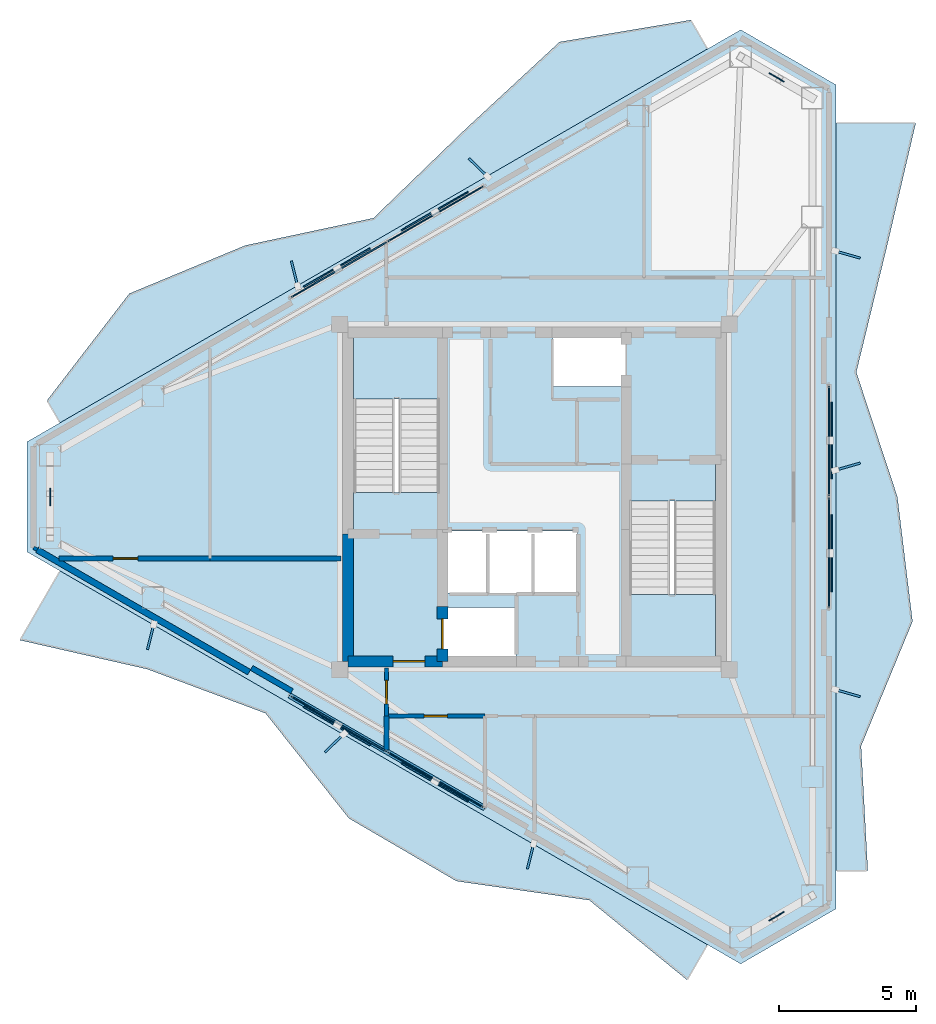
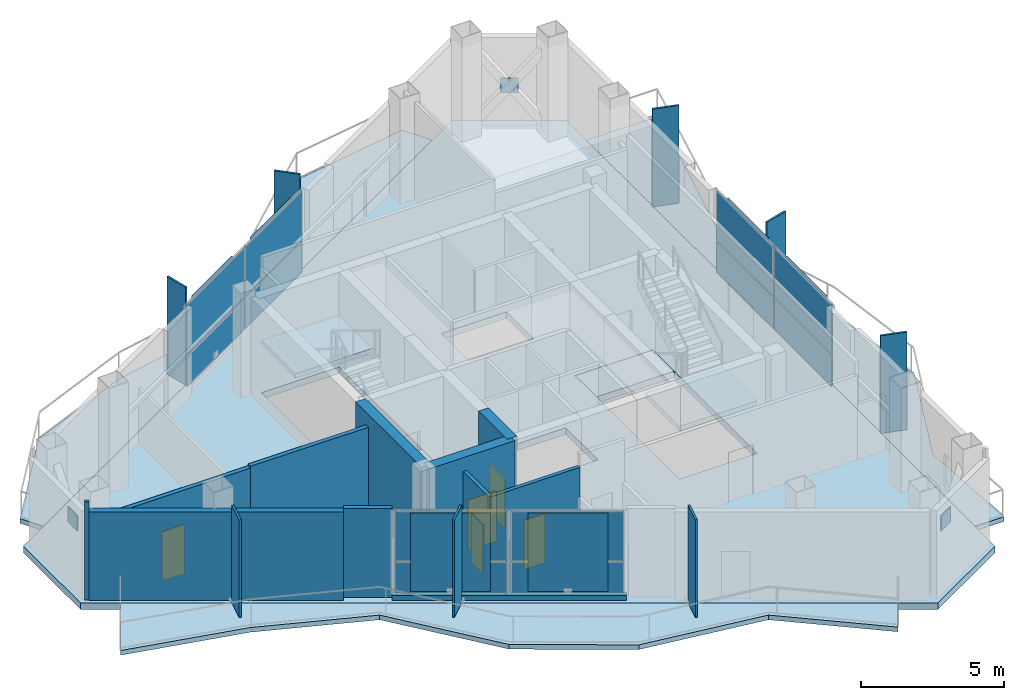
# One storey, part 9 of 14: 29 plates, 12 walls, 8 slabs, 5 doors, 5 openings, 5 elements without a shape of their own.
"""IFC4 building model written with IfcOpenShell, lengths in metres."""

from ifc_helpers import new_model, si_unit, direction, frame, frame_2d, origin, origin_2d, place, context, subcontext, project, spatial, polyline, rectangle, outline, extrude, material, layer, layer_set, type_object, element, fill, aggregate, save


model = new_model("IFC4")

# Units and contexts
model_context = context("Model", 3, precision=1e-05, world=origin(), true_north=direction((0.0, 1.0)))
body_context = subcontext(model_context, "Body", "Model", "MODEL_VIEW")
ifc_project = project(units=[si_unit("LENGTHUNIT", "METRE"), si_unit("AREAUNIT", "SQUARE_METRE"), si_unit("VOLUMEUNIT", "CUBIC_METRE"), si_unit("PLANEANGLEUNIT", "RADIAN"), si_unit("MASSUNIT", "GRAM", prefix="KILO")], contexts=[model_context])

# Site, building, storey
site_placement = place(None, origin())
site = spatial("IfcSite", under=ifc_project, at=site_placement, CompositionType="ELEMENT")
building_placement = place(site_placement, origin())
building = spatial("IfcBuilding", under=site, at=building_placement, Name="Mersakhor Tower and Convention Hall", CompositionType="ELEMENT")
storey_placement = place(building_placement, frame((0.0, 0.0, 254.10009765625)))
storey = spatial("IfcBuildingStorey", under=building, at=storey_placement, Name="L71", CompositionType="ELEMENT", Elevation=254.10009765625)

# Curtain wall, plates
ifc_material_1 = material(Name="Dark solar low-E aluminium curtain wall", Category="aluminium")
ifc_layer_1 = layer(ifc_material_1, 0.2099609375)
ifc_layer_set_1 = layer_set([ifc_layer_1], Name="Dark solar low-E aluminium curtain wall")
curtain_wall_type = type_object("IfcCurtainWallType", Name="CW-SYS-06", PredefinedType="USERDEFINED", material=ifc_layer_set_1)
curtain_wall_1_placement = place(storey_placement, origin())
curtain_wall_1 = element("IfcCurtainWall", 1, at=curtain_wall_1_placement, inside=storey, type_object=curtain_wall_type, Name="L71 Dark-Glass Curtain Wall F1-B2", ObjectType="CURTAIN WALL", PredefinedType="USERDEFINED")
ifc_material_2 = material(Name="Dark solar double glazing", Category="glass")
ifc_layer_2 = layer(ifc_material_2, 0.052001953125)
ifc_layer_set_2 = layer_set([ifc_layer_2], Name="Dark solar double glazing")
plate_type_1 = type_object("IfcPlateType", Name="CWP-GLZ-52", PredefinedType="CURTAIN_PANEL", material=ifc_layer_set_2)
plate_1_placement = place(storey_placement, frame((21.864501953125, 35.03515625, 0.259765625), z_axis=(0.0, 0.0, 1.0), x_axis=(0.86602285698, 0.500004411169, 0.0)))
plate_1 = element("IfcPlate", 2, at=plate_1_placement, type_object=plate_type_1, Name="CW-06 panel 1.1", PredefinedType="CURTAIN_PANEL", context=body_context, shape_type="SweptSolid", body=[
    extrude(rectangle(XDim=3.993896484375, YDim=0.052001953125, at=origin_2d()), origin(), (0.0, 0.0, 1.0), 1.330078125),
])
plate_2_placement = place(storey_placement, frame((21.864501953125, 35.03515625, 1.64990234375), z_axis=(0.0, 0.0, 1.0), x_axis=(0.86602285698, 0.500004411169, 0.0)))
plate_2 = element("IfcPlate", 3, at=plate_2_placement, type_object=plate_type_1, Name="CW-06 panel 1.2", PredefinedType="CURTAIN_PANEL", context=body_context, shape_type="SweptSolid", body=[
    extrude(rectangle(XDim=3.993896484375, YDim=0.052001953125, at=origin_2d()), origin(), (0.0, 0.0, 1.0), 2.090087890625),
])
plate_3_placement = place(storey_placement, frame((25.392578125, 37.072021484375, 0.259765625), z_axis=(0.0, 0.0, 1.0), x_axis=(0.86602285698, 0.500004411169, 0.0)))
plate_3 = element("IfcPlate", 4, at=plate_3_placement, type_object=plate_type_1, Name="CW-06 panel 2.1", PredefinedType="CURTAIN_PANEL", context=body_context, shape_type="SweptSolid", body=[
    extrude(rectangle(XDim=3.993896484375, YDim=0.052001953125, at=origin_2d()), origin(), (0.0, 0.0, 1.0), 1.330078125),
])
plate_4_placement = place(storey_placement, frame((25.392578125, 37.072021484375, 1.64990234375), z_axis=(0.0, 0.0, 1.0), x_axis=(0.86602285698, 0.500004411169, 0.0)))
plate_4 = element("IfcPlate", 5, at=plate_4_placement, type_object=plate_type_1, Name="CW-06 panel 2.2", PredefinedType="CURTAIN_PANEL", context=body_context, shape_type="SweptSolid", body=[
    extrude(rectangle(XDim=3.993896484375, YDim=0.052001953125, at=origin_2d()), origin(), (0.0, 0.0, 1.0), 2.090087890625),
])
aggregate(curtain_wall_1, [plate_1, plate_2, plate_3, plate_4])

curtain_wall_2_placement = place(storey_placement, origin())
curtain_wall_2 = element("IfcCurtainWall", 6, at=curtain_wall_2_placement, inside=storey, type_object=curtain_wall_type, Name="L71 Dark-Glass Curtain Wall F2-B2", ObjectType="CURTAIN WALL", PredefinedType="USERDEFINED")
plate_5_placement = place(storey_placement, frame((39.742919921875, 28.786865234375, 0.259765625), z_axis=(0.0, 0.0, 1.0), x_axis=(0.0, -1.0, 0.0)))
plate_5 = element("IfcPlate", 7, at=plate_5_placement, type_object=plate_type_1, Name="CW-06 panel 1.1", PredefinedType="CURTAIN_PANEL", context=body_context, shape_type="SweptSolid", body=[
    extrude(rectangle(XDim=3.993896484375, YDim=0.052001953125, at=origin_2d()), origin(), (0.0, 0.0, 1.0), 1.330078125),
])
plate_6_placement = place(storey_placement, frame((39.742919921875, 28.786865234375, 1.64990234375), z_axis=(0.0, 0.0, 1.0), x_axis=(0.0, -1.0, 0.0)))
plate_6 = element("IfcPlate", 8, at=plate_6_placement, type_object=plate_type_1, Name="CW-06 panel 1.2", PredefinedType="CURTAIN_PANEL", context=body_context, shape_type="SweptSolid", body=[
    extrude(rectangle(XDim=3.993896484375, YDim=0.052001953125, at=origin_2d()), origin(), (0.0, 0.0, 1.0), 2.090087890625),
])
plate_7_placement = place(storey_placement, frame((39.742919921875, 24.713134765625, 0.259765625), z_axis=(0.0, 0.0, 1.0), x_axis=(0.0, -1.0, 0.0)))
plate_7 = element("IfcPlate", 9, at=plate_7_placement, type_object=plate_type_1, Name="CW-06 panel 2.1", PredefinedType="CURTAIN_PANEL", context=body_context, shape_type="SweptSolid", body=[
    extrude(rectangle(XDim=3.993896484375, YDim=0.052001953125, at=origin_2d()), origin(), (0.0, 0.0, 1.0), 1.330078125),
])
plate_8_placement = place(storey_placement, frame((39.742919921875, 24.713134765625, 1.64990234375), z_axis=(0.0, 0.0, 1.0), x_axis=(0.0, -1.0, 0.0)))
plate_8 = element("IfcPlate", 10, at=plate_8_placement, type_object=plate_type_1, Name="CW-06 panel 2.2", PredefinedType="CURTAIN_PANEL", context=body_context, shape_type="SweptSolid", body=[
    extrude(rectangle(XDim=3.993896484375, YDim=0.052001953125, at=origin_2d()), origin(), (0.0, 0.0, 1.0), 2.090087890625),
])
aggregate(curtain_wall_2, [plate_5, plate_6, plate_7, plate_8])

curtain_wall_3_placement = place(storey_placement, origin())
curtain_wall_3 = element("IfcCurtainWall", 11, at=curtain_wall_3_placement, inside=storey, type_object=curtain_wall_type, Name="L71 Dark-Glass Curtain Wall F3-B2", ObjectType="CURTAIN WALL", PredefinedType="USERDEFINED")
plate_9_placement = place(storey_placement, frame((25.392578125, 16.427978515625, 0.259765625), z_axis=(0.0, 0.0, 1.0), x_axis=(-0.86602285698, 0.500004411169, 0.0)))
plate_9 = element("IfcPlate", 12, at=plate_9_placement, type_object=plate_type_1, Name="CW-06 panel 1.1", PredefinedType="CURTAIN_PANEL", context=body_context, shape_type="SweptSolid", body=[
    extrude(rectangle(XDim=3.993896484375, YDim=0.052001953125, at=origin_2d()), origin(), (0.0, 0.0, 1.0), 1.330078125),
])
plate_10_placement = place(storey_placement, frame((25.392578125, 16.427978515625, 1.64990234375), z_axis=(0.0, 0.0, 1.0), x_axis=(-0.86602285698, 0.500004411169, 0.0)))
plate_10 = element("IfcPlate", 13, at=plate_10_placement, type_object=plate_type_1, Name="CW-06 panel 1.2", PredefinedType="CURTAIN_PANEL", context=body_context, shape_type="SweptSolid", body=[
    extrude(rectangle(XDim=3.993896484375, YDim=0.052001953125, at=origin_2d()), origin(), (0.0, 0.0, 1.0), 2.090087890625),
])
plate_11_placement = place(storey_placement, frame((21.864501953125, 18.46484375, 0.259765625), z_axis=(0.0, 0.0, 1.0), x_axis=(-0.86602285698, 0.500004411169, 0.0)))
plate_11 = element("IfcPlate", 14, at=plate_11_placement, type_object=plate_type_1, Name="CW-06 panel 2.1", PredefinedType="CURTAIN_PANEL", context=body_context, shape_type="SweptSolid", body=[
    extrude(rectangle(XDim=3.993896484375, YDim=0.052001953125, at=origin_2d()), origin(), (0.0, 0.0, 1.0), 1.330078125),
])
plate_12_placement = place(storey_placement, frame((21.864501953125, 18.46484375, 1.64990234375), z_axis=(0.0, 0.0, 1.0), x_axis=(-0.86602285698, 0.500004411169, 0.0)))
plate_12 = element("IfcPlate", 15, at=plate_12_placement, type_object=plate_type_1, Name="CW-06 panel 2.2", PredefinedType="CURTAIN_PANEL", context=body_context, shape_type="SweptSolid", body=[
    extrude(rectangle(XDim=3.993896484375, YDim=0.052001953125, at=origin_2d()), origin(), (0.0, 0.0, 1.0), 2.090087890625),
])
aggregate(curtain_wall_3, [plate_9, plate_10, plate_11, plate_12])

# Plates
ifc_material_3 = material(Name="Ceramic-clad aluminium Zone 5 ultramarine", Category="aluminium")
ifc_material_4 = material(Name="Ceramic-clad aluminium Zone 1 cobalt-slate", Category="masonry")
ifc_layer_3 = layer(ifc_material_4, 0.080078125)
ifc_layer_set_3 = layer_set([ifc_layer_3], Name="Ceramic-clad aluminium Zone 1 cobalt-slate")
plate_type_2 = type_object("IfcPlateType", Name="PL-FIN-80", PredefinedType="USERDEFINED", material=ifc_layer_set_3)
for number, where, z_axis, x_axis, name in (
    (16, (20.249755859375, 34.8955078125, 0.0), (0.0, 0.0, 1.0), (-0.2419218956, 0.970295726276, 0.0), "L71 Zone 5 Coloured Brise-Soleil Fin F1-1"),
    (17, (26.951171875, 38.7646484375, 0.0), (0.0, 0.0, 1.0), (-0.719339800339, 0.694658370459, 0.0), "L71 Zone 5 Coloured Brise-Soleil Fin F1-2"),
    (18, (40.429443359375, 35.58837890625, 0.0), (0.0, 0.0, 1.0), (0.961261695938, -0.275637355817, 0.0), "L71 Zone 5 Coloured Brise-Soleil Fin F2-1"),
    (19, (40.429443359375, 27.850341796875, 0.0), (0.0, 0.0, 1.0), (0.961261695938, 0.275637355817, 0.0), "L71 Zone 5 Coloured Brise-Soleil Fin F2-2"),
    (20, (40.429443359375, 19.58837890625, 0.0), (0.0, 0.0, 1.0), (0.961261695938, -0.275637355817, 0.0), "L71 Zone 5 Coloured Brise-Soleil Fin F2-3"),
    (21, (28.85693359375, 13.635009765625, 0.0), (0.0, 0.0, 1.0), (-0.2419218956, -0.970295726276, 0.0), "L71 Zone 5 Coloured Brise-Soleil Fin F3-1"),
    (22, (21.701904296875, 17.765869140625, 0.0), (0.0, 0.0, 1.0), (-0.719339800339, -0.694658370459, 0.0), "L71 Zone 5 Coloured Brise-Soleil Fin F3-2"),
    (23, (15.00048828125, 21.635009765625, 0.0), (0.0, 0.0, 1.0), (-0.2419218956, -0.970295726276, 0.0), "L71 Zone 5 Coloured Brise-Soleil Fin F3-3"),
):
    element("IfcPlate", number, at=place(storey_placement, frame(where, z_axis=z_axis, x_axis=x_axis)), inside=storey, type_object=plate_type_2, material=ifc_material_3, Name=name, ObjectType="FIN", PredefinedType="USERDEFINED", context=body_context, shape_type="SweptSolid", body=[
        extrude(rectangle(XDim=0.949951171875, YDim=0.080078125, at=origin_2d()), origin(), (0.0, 0.0, 1.0), 4.179931640625),
    ])
ifc_material_5 = material(Name="Steel S460", Category="steel")
ifc_layer_4 = layer(ifc_material_5, 0.0400390625)
ifc_layer_set_4 = layer_set([ifc_layer_4], Name="Steel S460")
plate_type_3 = type_object("IfcPlateType", Name="PL-GUSSET-40", PredefinedType="SHEET", material=ifc_layer_set_4)
for number, where, z_axis, x_axis, name in (
    (24, (37.833984375, 42.051025390625, 1.77001953125), (0.0, 0.0, 1.0), (-0.866025403784, 0.5, 0.0), "L71 X-Brace Crossing Gusset Node Plate"),
    (25, (37.833984375, 11.448974609375, 1.77001953125), (0.0, 0.0, 1.0), (0.866025403784, 0.5, 0.0), "L71 X-Brace Crossing Gusset Node Plate"),
    (26, (11.33203125, 26.75, 1.77001953125), (0.0, 0.0, 1.0), (0.0, -1.0, 0.0), "L71 X-Brace Crossing Gusset Node Plate"),
):
    element("IfcPlate", number, at=place(storey_placement, frame(where, z_axis=z_axis, x_axis=x_axis)), inside=storey, type_object=plate_type_3, Name=name, PredefinedType="SHEET", context=body_context, shape_type="SweptSolid", body=[
        extrude(rectangle(XDim=0.639892578125, YDim=0.0400390625, at=origin_2d()), origin(), (0.0, 0.0, 1.0), 0.639892578125),
    ])
ifc_material_6 = material(Name="Perforated ceramic cobogo solar screen", Category="aluminium")
ifc_layer_5 = layer(ifc_material_6, 0.055908203125)
ifc_layer_set_5 = layer_set([ifc_layer_5], Name="Perforated ceramic cobogo solar screen")
plate_type_4 = type_object("IfcPlateType", Name="PL-SCR-56", PredefinedType="USERDEFINED", material=ifc_layer_set_5)
for number, where, z_axis, x_axis, name in (
    (27, (21.79833984375, 35.10986328125, 0.39990234375), (0.0, 0.0, 1.0), (0.866025403784, 0.5, 0.0), "L71 Perforated Ceramic Solar Screen F1-1"),
    (28, (25.361083984375, 37.1669921875, 0.39990234375), (0.0, 0.0, 1.0), (0.866025403784, 0.5, 0.0), "L71 Perforated Ceramic Solar Screen F1-2"),
    (29, (39.8408203125, 28.806884765625, 0.39990234375), (0.0, 0.0, 1.0), (0.0, -1.0, 0.0), "L71 Perforated Ceramic Solar Screen F2-1"),
    (30, (39.8408203125, 24.693115234375, 0.39990234375), (0.0, 0.0, 1.0), (0.0, -1.0, 0.0), "L71 Perforated Ceramic Solar Screen F2-2"),
    (31, (25.36083984375, 16.3330078125, 0.39990234375), (0.0, 0.0, 1.0), (-0.866025403784, 0.5, 0.0), "L71 Perforated Ceramic Solar Screen F3-1"),
    (32, (21.798095703125, 18.389892578125, 0.39990234375), (0.0, 0.0, 1.0), (-0.866025403784, 0.5, 0.0), "L71 Perforated Ceramic Solar Screen F3-2"),
):
    element("IfcPlate", number, at=place(storey_placement, frame(where, z_axis=z_axis, x_axis=x_axis)), inside=storey, type_object=plate_type_4, Name=name, ObjectType="SCREEN", PredefinedType="USERDEFINED", context=body_context, shape_type="SweptSolid", body=[
        extrude(rectangle(XDim=2.800048828125, YDim=0.055908203125, at=origin_2d()), origin(), (0.0, 0.0, 1.0), 3.35009765625),
    ])

# Slabs
ifc_material_7 = material(Name="Concrete C45/55", Category="concrete")
ifc_layer_6 = layer(ifc_material_7, 0.199951171875)
ifc_layer_set_6 = layer_set([ifc_layer_6], Name="Concrete C45/55")
slab_type_1 = type_object("IfcSlabType", Name="SL-BAL-200", PredefinedType="FLOOR", material=ifc_layer_set_6)
slab_1_placement = place(storey_placement, frame((0.0, 0.0, -0.2001953125)))
element("IfcSlab", 33, at=slab_1_placement, inside=storey, type_object=slab_type_1, Name="L71 Sinusoidal Balcony Slab Face 1", PredefinedType="FLOOR", context=body_context, shape_type="SweptSolid", body=[
    extrude(outline(polyline([(11.6943359375, 29.451904296875), (35.312744140625, 43.088134765625), (34.70263671875, 44.14501953125), (29.91650390625, 43.34423828125), (26.496826171875, 40.176025390625), (23.128662109375, 36.919677734375), (18.455810546875, 35.922607421875), (14.221923828125, 34.1650390625), (11.22216796875, 30.27001953125), (11.6943359375, 29.451904296875)])), origin(), (0.0, 0.0, 1.0), 0.2001953125),
])
slab_2_placement = place(storey_placement, frame((0.0, 0.0, -0.2001953125)))
element("IfcSlab", 34, at=slab_2_placement, inside=storey, type_object=slab_type_1, Name="L71 Sinusoidal Balcony Slab Face 2", PredefinedType="FLOOR", context=body_context, shape_type="SweptSolid", body=[
    extrude(outline(polyline([(39.992919921875, 40.385986328125), (39.992919921875, 13.114013671875), (41.162841796875, 13.114013671875), (40.917236328125, 17.6591796875), (42.794921875, 22.20458984375), (42.242431640625, 26.75), (40.742919921875, 31.29541015625), (41.850341796875, 35.8408203125), (42.912841796875, 40.385986328125), (39.992919921875, 40.385986328125)])), origin(), (0.0, 0.0, 1.0), 0.2001953125),
])
slab_3_placement = place(storey_placement, frame((0.0, 0.0, -0.2001953125)))
element("IfcSlab", 35, at=slab_3_placement, inside=storey, type_object=slab_type_1, Name="L71 Sinusoidal Balcony Slab Face 3", PredefinedType="FLOOR", context=body_context, shape_type="SweptSolid", body=[
    extrude(outline(polyline([(35.312744140625, 10.411865234375), (11.6943359375, 24.048095703125), (10.234375, 21.519287109375), (14.87353515625, 20.463623046875), (19.192138671875, 18.85302734375), (22.2294921875, 15.023193359375), (26.15478515625, 12.731201171875), (31.00146484375, 12.03515625), (34.5693359375, 9.124267578125), (35.312744140625, 10.411865234375)])), origin(), (0.0, 0.0, 1.0), 0.2001953125),
])
ifc_material_8 = material(Name="Concrete C45/55", Category="concrete")
ifc_layer_7 = layer(ifc_material_8, 0.280029296875)
ifc_layer_set_7 = layer_set([ifc_layer_7], Name="Concrete C45/55")
slab_type_2 = type_object("IfcSlabType", Name="SL-FLR-280", PredefinedType="FLOOR", material=ifc_layer_set_7)
slab_4_placement = place(storey_placement, frame((0.0, 0.0, -0.280029296875)))
element("IfcSlab", 36, at=slab_4_placement, inside=storey, type_object=slab_type_2, Name="L71 ST-1 Structural Stair Floor Landing", PredefinedType="LANDING", context=body_context, shape_type="SweptSolid", body=[
    extrude(outline(polyline([(25.550048828125, 25.39990234375), (25.550048828125, 26.89990234375), (22.39990234375, 26.89990234375), (22.39990234375, 25.39990234375), (25.550048828125, 25.39990234375)])), origin(), (0.0, 0.0, 1.0), 0.280029296875),
])
slab_5_placement = place(storey_placement, frame((0.0, 0.0, -0.280029296875)))
element("IfcSlab", 37, at=slab_5_placement, inside=storey, type_object=slab_type_2, Name="L71 ST-2 Structural Stair Floor Landing", PredefinedType="LANDING", context=body_context, shape_type="SweptSolid", body=[
    extrude(outline(polyline([(32.449951171875, 28.10009765625), (32.449951171875, 26.60009765625), (35.60009765625, 26.60009765625), (35.60009765625, 28.10009765625), (32.449951171875, 28.10009765625)])), origin(), (0.0, 0.0, 1.0), 0.280029296875),
])
slab_6_placement = place(storey_placement, frame((0.0, 0.0, -0.280029296875)))
element("IfcSlab", 38, at=slab_6_placement, inside=storey, type_object=slab_type_2, Name="Tower L71 Structural Floor Slab", PredefinedType="FLOOR", context=body_context, shape_type="SweptSolid", body=[
    extrude(outline(polyline([(10.48193359375, 28.751953125), (36.525146484375, 43.7880859375), (39.992919921875, 41.7861328125), (39.992919921875, 11.7138671875), (36.525146484375, 9.7119140625), (10.48193359375, 24.748046875), (10.48193359375, 28.751953125)]), holes=[polyline([(25.550048828125, 25.39990234375), (25.550048828125, 32.699951171875), (22.39990234375, 32.699951171875), (22.39990234375, 25.39990234375), (25.550048828125, 25.39990234375)]), polyline([(32.449951171875, 28.10009765625), (32.449951171875, 20.800048828125), (35.60009765625, 20.800048828125), (35.60009765625, 28.10009765625), (32.449951171875, 28.10009765625)]), polyline([(25.679931640625, 20.820068359375), (25.679931640625, 22.719970703125), (28.320068359375, 22.719970703125), (28.320068359375, 20.820068359375), (25.679931640625, 20.820068359375)]), polyline([(29.679931640625, 30.780029296875), (29.679931640625, 32.679931640625), (32.320068359375, 32.679931640625), (32.320068359375, 30.780029296875), (29.679931640625, 30.780029296875)]), polyline([(25.679931640625, 23.25), (25.679931640625, 25.5), (30.570068359375, 25.5), (30.570068359375, 23.25), (25.679931640625, 23.25)])]), origin(), (0.0, 0.0, 1.0), 0.280029296875),
])

# Stair, slab
ifc_material_9 = material(Name="Concrete C45/55", Category="concrete")
stair_type = type_object("IfcStairType", Name="ST-TWR-26R", PredefinedType="HALF_TURN_STAIR", material=ifc_material_9)
stair_1_placement = place(storey_placement, origin())
stair_1 = element("IfcStair", 39, at=stair_1_placement, inside=storey, type_object=stair_type, Name="L71 Tower Protected Exit Stair ST-1", PredefinedType="HALF_TURN_STAIR")
ifc_material_10 = material(Name="Concrete C45/55", Category="concrete")
ifc_layer_8 = layer(ifc_material_10, 0.199951171875)
ifc_layer_set_8 = layer_set([ifc_layer_8], Name="Concrete C45/55")
slab_type_3 = type_object("IfcSlabType", Name="SL-LAND-200", PredefinedType="LANDING", material=ifc_layer_set_8)
slab_7_placement = place(storey_placement, frame((0.0, 0.0, 2.0498046875)))
slab_7 = element("IfcSlab", 40, at=slab_7_placement, type_object=slab_type_3, Name="ST-1 landing 1", PredefinedType="LANDING", context=body_context, shape_type="SweptSolid", body=[
    extrude(outline(polyline([(25.550048828125, 30.320068359375), (25.550048828125, 32.699951171875), (22.39990234375, 32.699951171875), (22.39990234375, 30.320068359375), (25.550048828125, 30.320068359375)])), origin(), (0.0, 0.0, 1.0), 0.2001953125),
])
aggregate(stair_1, [slab_7])

stair_2_placement = place(storey_placement, origin())
stair_2 = element("IfcStair", 41, at=stair_2_placement, inside=storey, type_object=stair_type, Name="L71 Tower Protected Exit Stair ST-2", PredefinedType="HALF_TURN_STAIR")
slab_8_placement = place(storey_placement, frame((0.0, 0.0, 2.0498046875)))
slab_8 = element("IfcSlab", 42, at=slab_8_placement, type_object=slab_type_3, Name="ST-2 landing 1", PredefinedType="LANDING", context=body_context, shape_type="SweptSolid", body=[
    extrude(outline(polyline([(32.449951171875, 23.179931640625), (32.449951171875, 20.800048828125), (35.60009765625, 20.800048828125), (35.60009765625, 23.179931640625), (32.449951171875, 23.179931640625)])), origin(), (0.0, 0.0, 1.0), 0.2001953125),
])
aggregate(stair_2, [slab_8])

# Walls
ifc_material_11 = material(Name="Precast concrete C40/50", Category="concrete")
ifc_layer_9 = layer(ifc_material_11, 0.22509765625)
ifc_layer_set_9 = layer_set([ifc_layer_9], Name="Precast concrete C40/50")
wall_type_1 = type_object("IfcWallType", Name="WL-EXT-225", PredefinedType="SOLIDWALL", material=ifc_layer_set_9)
wall_1_placement = place(storey_placement, frame((18.593505859375, 20.353515625, 0.0), z_axis=(0.0, 0.0, 1.0), x_axis=(-0.866026655105, 0.499997832642, 0.0)))
element("IfcWall", 43, at=wall_1_placement, inside=storey, type_object=wall_type_1, Name="L71 Exterior Facade Wall F3-B3", PredefinedType="SOLIDWALL", context=body_context, shape_type="SweptSolid", body=[
    extrude(rectangle(XDim=8.927734375, YDim=0.22509765625, at=frame_2d((4.4638671875, 0.0))), origin(), (0.0, 0.0, 1.0), 3.7998046875),
])
ifc_material_12 = material(Name="Precast concrete C40/50", Category="concrete")
ifc_layer_10 = layer(ifc_material_12, 0.199951171875)
ifc_layer_set_10 = layer_set([ifc_layer_10], Name="Precast concrete C40/50")
wall_type_2 = type_object("IfcWallType", Name="WL-PAR-200", PredefinedType="PARAPET", material=ifc_layer_set_10)
wall_2_placement = place(storey_placement, frame((27.19140625, 15.389404296875, 0.0), z_axis=(0.0, 0.0, 1.0), x_axis=(-0.866019557082, 0.500010126649, 0.0)))
element("IfcWall", 44, at=wall_2_placement, inside=storey, type_object=wall_type_2, Name="L71 Curtain Wall Upstand Sill F3-B2", PredefinedType="PARAPET", context=body_context, shape_type="SweptSolid", body=[
    extrude(rectangle(XDim=8.227783203125, YDim=0.199951171875, at=frame_2d((4.11376953125, 0.0))), origin(), (0.0, 0.0, 1.0), 0.199951171875),
])
wall_3_placement = place(storey_placement, frame((20.156005859375, 19.6591796875, 0.0), z_axis=(0.0, 0.0, 1.0), x_axis=(-0.866025371046, 0.500000056704, 0.0)))
element("IfcWall", 45, at=wall_3_placement, inside=storey, type_object=wall_type_2, Name="L71 Column Pier Cladding Wall F3-C2", PredefinedType="PARAPET", context=body_context, shape_type="SweptSolid", body=[
    extrude(rectangle(XDim=1.7001953125, YDim=0.199951171875, at=frame_2d((0.85009765625, 0.0))), origin(), (0.0, 0.0, 1.0), 3.7998046875),
])
ifc_material_13 = material(Name="Moisture-resistant acoustic drywall studwork", Category="other")
ifc_layer_11 = layer(ifc_material_13, 0.175048828125)
ifc_layer_set_11 = layer_set([ifc_layer_11], Name="Moisture-resistant acoustic drywall studwork")
wall_type_3 = type_object("IfcWallType", Name="WL-PLM-175", PredefinedType="PLUMBINGWALL", material=ifc_layer_set_11)
wall_4_placement = place(storey_placement, frame((23.60009765625, 17.520751953125, 0.0), z_axis=(0.0, 0.0, 1.0), x_axis=(0.0, 1.0, 0.0)))
element("IfcWall", 46, at=wall_4_placement, inside=storey, type_object=wall_type_3, Name="L71 Interior Partition Wall P-025", PredefinedType="PLUMBINGWALL", context=body_context, shape_type="SweptSolid", body=[
    extrude(rectangle(XDim=1.229248046875, YDim=0.175048828125, at=frame_2d((0.61474609375, 0.0))), origin(), (0.0, 0.0, 1.0), 2.364990234375),
])

# Wall, opening, door
wall_5_placement = place(storey_placement, frame((11.65966796875, 24.5, 0.0), z_axis=(0.0, 0.0, 1.0), x_axis=(1.0, 0.0, 0.0)))
wall_5 = element("IfcWall", 47, at=wall_5_placement, inside=storey, type_object=wall_type_3, Name="L71 Interior Partition Wall P-026", PredefinedType="PLUMBINGWALL", context=body_context, shape_type="SweptSolid", body=[
    extrude(rectangle(XDim=5.51025390625, YDim=0.175048828125, at=frame_2d((2.755126953125, 0.0))), origin(), (0.0, 0.0, 1.0), 3.628173828125),
])
opening_1_placement = place(wall_5_placement, frame((1.971435546875, 0.0, 0.0)))
opening_1 = element("IfcOpeningElement", 48, at=opening_1_placement, cuts=wall_5, Name="Opening WD-01", PredefinedType="OPENING", context=body_context, shape_type="SweptSolid", body=[
    extrude(rectangle(XDim=0.89990234375, YDim=2.10009765625, at=frame_2d((0.449951171875, 1.050048828125))), frame((0.0, 0.097412109375, 0.0), z_axis=(0.0, -1.0, 0.0), x_axis=(1.0, 0.0, 0.0)), (0.0, 0.0, 1.0), 0.195068359375),
])
ifc_material_14 = material(Name="Solid-core hardwood leaf in painted steel frame", Category="steel")
door_type_1 = type_object("IfcDoorType", Name="DR-INT-WET-090x210", OperationType="NOTDEFINED", PredefinedType="DOOR", material=ifc_material_14)
door_1_placement = place(opening_1_placement, origin())
door_1 = element("IfcDoor", 49, at=door_1_placement, inside=storey, type_object=door_type_1, Name="L71 L71 Conservatory Accessible Toilet WC to West Panorama Garden Lounge Door", OperationType="SINGLE_SWING_LEFT", OverallHeight=2.10009765625, OverallWidth=0.89990234375, PredefinedType="DOOR", context=body_context, shape_type="SweptSolid", body=[
    extrude(rectangle(XDim=0.89990234375, YDim=2.10009765625, at=frame_2d((0.449951171875, 1.050048828125))), frame((0.0, 0.02490234375, 0.0), z_axis=(0.0, -1.0, 0.0), x_axis=(1.0, 0.0, 0.0)), (0.0, 0.0, 1.0), 0.050048828125),
])
fill(opening_1, door_1)

# Walls
wall_6_placement = place(storey_placement, frame((17.169921875, 24.5, 0.0), z_axis=(0.0, 0.0, 1.0), x_axis=(1.0, 0.0, 0.0)))
element("IfcWall", 50, at=wall_6_placement, inside=storey, type_object=wall_type_3, Name="L71 Interior Partition Wall P-027", PredefinedType="PLUMBINGWALL", context=body_context, shape_type="SweptSolid", body=[
    extrude(rectangle(XDim=4.780029296875, YDim=0.175048828125, at=frame_2d((2.39013671875, 0.0))), origin(), (0.0, 0.0, 1.0), 3.704833984375),
])
ifc_material_15 = material(Name="Gypsum board acoustic partition", Category="other")
ifc_layer_12 = layer(ifc_material_15, 0.125)
ifc_layer_set_12 = layer_set([ifc_layer_12], Name="Gypsum board acoustic partition")
wall_type_4 = type_object("IfcWallType", Name="WL-PRT-125", PredefinedType="PARTITIONING", material=ifc_layer_set_12)
wall_7_placement = place(storey_placement, frame((10.86181640625, 24.817138671875, 0.0), z_axis=(0.0, 0.0, 1.0), x_axis=(-0.866131372301, 0.499816412211, 0.0)))
element("IfcWall", 51, at=wall_7_placement, inside=storey, type_object=wall_type_4, Name="L71 Interior Partition Wall P-037", PredefinedType="PARTITIONING", context=body_context, shape_type="SweptSolid", body=[
    extrude(rectangle(XDim=0.14990234375, YDim=0.125, at=frame_2d((0.074951171875, 0.0))), origin(), (0.0, 0.0, 1.0), 4.179931640625),
])

# Wall, opening, door
ifc_material_16 = material(Name="Fire-rated gypsum board stud partition", Category="other")
ifc_layer_13 = layer(ifc_material_16, 0.14990234375)
ifc_layer_set_13 = layer_set([ifc_layer_13], Name="Fire-rated gypsum board stud partition")
wall_type_5 = type_object("IfcWallType", Name="WL-PRT-150", PredefinedType="PARTITIONING", material=ifc_layer_set_13)
wall_8_placement = place(storey_placement, frame((27.199951171875, 18.75, 0.0), z_axis=(0.0, 0.0, 1.0), x_axis=(-1.0, 0.0, 0.0)))
wall_8 = element("IfcWall", 52, at=wall_8_placement, inside=storey, type_object=wall_type_5, Name="L71 Interior Partition Wall P-022", PredefinedType="PARTITIONING", context=body_context, shape_type="SweptSolid", body=[
    extrude(rectangle(XDim=3.599853515625, YDim=0.14990234375, at=frame_2d((1.7998046875, 0.0))), origin(), (0.0, 0.0, 1.0), 3.628173828125),
])
opening_2_placement = place(wall_8_placement, frame((1.375, 0.0, 0.0)))
opening_2 = element("IfcOpeningElement", 53, at=opening_2_placement, cuts=wall_8, Name="Opening SVD-01", PredefinedType="OPENING", context=body_context, shape_type="SweptSolid", body=[
    extrude(rectangle(XDim=0.85009765625, YDim=2.10009765625, at=frame_2d((0.425048828125, 1.050048828125))), frame((0.0, 0.0849609375, 0.0), z_axis=(0.0, -1.0, 0.0), x_axis=(1.0, 0.0, 0.0)), (0.0, 0.0, 1.0), 0.169921875),
])
ifc_material_17 = material(Name="Fire-rated hardwood leaf and painted steel frame", Category="steel")
door_type_2 = type_object("IfcDoorType", Name="DR-INT-SVC-085x210", OperationType="NOTDEFINED", PredefinedType="DOOR", material=ifc_material_17)
door_2_placement = place(opening_2_placement, origin())
door_2 = element("IfcDoor", 54, at=door_2_placement, inside=storey, type_object=door_type_2, Name="L71 L71 Sky-Lobby Corridor to L71 Conservatory Public Restrooms Door", OperationType="SINGLE_SWING_LEFT", OverallHeight=2.10009765625, OverallWidth=0.85009765625, PredefinedType="DOOR", context=body_context, shape_type="SweptSolid", body=[
    extrude(rectangle(XDim=0.85009765625, YDim=2.10009765625, at=frame_2d((0.425048828125, 1.050048828125))), frame((0.0, 0.02490234375, 0.0), z_axis=(0.0, -1.0, 0.0), x_axis=(1.0, 0.0, 0.0)), (0.0, 0.0, 1.0), 0.050048828125),
])
fill(opening_2, door_2)

wall_9_placement = place(storey_placement, frame((23.60009765625, 18.75, 0.0), z_axis=(0.0, 0.0, 1.0), x_axis=(0.0, 1.0, 0.0)))
wall_9 = element("IfcWall", 55, at=wall_9_placement, inside=storey, type_object=wall_type_5, Name="L71 Interior Partition Wall P-023", PredefinedType="PARTITIONING", context=body_context, shape_type="SweptSolid", body=[
    extrude(rectangle(XDim=1.75, YDim=0.14990234375, at=frame_2d((0.875, 0.0))), origin(), (0.0, 0.0, 1.0), 3.628173828125),
])
opening_3_placement = place(wall_9_placement, frame((0.449951171875, 0.0, 0.0)))
opening_3 = element("IfcOpeningElement", 56, at=opening_3_placement, cuts=wall_9, Name="Opening SVD-01", PredefinedType="OPENING", context=body_context, shape_type="SweptSolid", body=[
    extrude(rectangle(XDim=0.85009765625, YDim=2.10009765625, at=frame_2d((0.425048828125, 1.050048828125))), frame((0.0, 0.0849609375, 0.0), z_axis=(0.0, -1.0, 0.0), x_axis=(1.0, 0.0, 0.0)), (0.0, 0.0, 1.0), 0.169921875),
])
door_3_placement = place(opening_3_placement, origin())
door_3 = element("IfcDoor", 57, at=door_3_placement, inside=storey, type_object=door_type_2, Name="L71 L71 Sky-Lobby Corridor to L71 Conservatory Accessible Toilet WC Door", OperationType="SINGLE_SWING_RIGHT", OverallHeight=2.10009765625, OverallWidth=0.85009765625, PredefinedType="DOOR", context=body_context, shape_type="SweptSolid", body=[
    extrude(rectangle(XDim=0.85009765625, YDim=2.10009765625, at=frame_2d((0.425048828125, 1.050048828125))), frame((0.0, 0.02490234375, 0.0), z_axis=(0.0, -1.0, 0.0), x_axis=(1.0, 0.0, 0.0)), (0.0, 0.0, 1.0), 0.050048828125),
])
fill(opening_3, door_3)

# Wall
ifc_material_18 = material(Name="Concrete C60/75", Category="concrete")
ifc_layer_14 = layer(ifc_material_18, 0.39990234375)
ifc_layer_set_14 = layer_set([ifc_layer_14], Name="Concrete C60/75")
wall_type_6 = type_object("IfcWallType", Name="WL-SHR-400", PredefinedType="SHEAR", material=ifc_layer_set_14)
wall_10_placement = place(storey_placement, frame((22.199951171875, 20.75, 0.0), z_axis=(0.0, 0.0, 1.0), x_axis=(0.0, 1.0, 0.0)))
element("IfcWall", 58, at=wall_10_placement, inside=storey, type_object=wall_type_6, Name="L71 Core Wall CW-W1", PredefinedType="SHEAR", context=body_context, shape_type="SweptSolid", body=[
    extrude(rectangle(XDim=4.64990234375, YDim=0.39990234375, at=frame_2d((2.324951171875, 0.0))), origin(), (0.0, 0.0, 1.0), 4.179931640625),
])

# Wall, opening, door
wall_11_placement = place(storey_placement, frame((25.64990234375, 20.75, 0.0), z_axis=(0.0, 0.0, 1.0), x_axis=(-1.0, 0.0, 0.0)))
wall_11 = element("IfcWall", 59, at=wall_11_placement, inside=storey, type_object=wall_type_6, Name="L71 Core Wall CW-S4", PredefinedType="SHEAR", context=body_context, shape_type="SweptSolid", body=[
    extrude(rectangle(XDim=3.449951171875, YDim=0.39990234375, at=frame_2d((1.72509765625, 0.0))), origin(), (0.0, 0.0, 1.0), 4.179931640625),
])
opening_4_placement = place(wall_11_placement, frame((0.64990234375, 0.0, 0.0)))
opening_4 = element("IfcOpeningElement", 60, at=opening_4_placement, cuts=wall_11, Name="Opening SD-01", PredefinedType="OPENING", context=body_context, shape_type="SweptSolid", body=[
    extrude(rectangle(XDim=1.14990234375, YDim=2.14990234375, at=frame_2d((0.574951171875, 1.074951171875))), frame((0.0, 0.2099609375, 0.0), z_axis=(0.0, -1.0, 0.0), x_axis=(1.0, 0.0, 0.0)), (0.0, 0.0, 1.0), 0.419921875),
])
ifc_material_19 = material(Name="Fire-rated hardwood leaf and painted steel frame", Category="steel")
door_type_3 = type_object("IfcDoorType", Name="DR-INT-STAIR-115x215", OperationType="NOTDEFINED", PredefinedType="DOOR", material=ifc_material_19)
door_4_placement = place(opening_4_placement, origin())
door_4 = element("IfcDoor", 61, at=door_4_placement, inside=storey, type_object=door_type_3, Name="L71 Firefighting Lobby West Fire Door", OperationType="SINGLE_SWING_LEFT", OverallHeight=2.14990234375, OverallWidth=1.14990234375, PredefinedType="DOOR", context=body_context, shape_type="SweptSolid", body=[
    extrude(rectangle(XDim=1.14990234375, YDim=2.14990234375, at=frame_2d((0.574951171875, 1.074951171875))), frame((0.0, 0.02490234375, 0.0), z_axis=(0.0, -1.0, 0.0), x_axis=(1.0, 0.0, 0.0)), (0.0, 0.0, 1.0), 0.050048828125),
])
fill(opening_4, door_4)

wall_12_placement = place(storey_placement, frame((25.64990234375, 20.75, 0.0), z_axis=(0.0, 0.0, 1.0), x_axis=(0.0, 1.0, 0.0)))
wall_12 = element("IfcWall", 62, at=wall_12_placement, inside=storey, type_object=wall_type_6, Name="L71 Core Wall CS-W-FFL", PredefinedType="SHEAR", context=body_context, shape_type="SweptSolid", body=[
    extrude(rectangle(XDim=2.0, YDim=0.39990234375, at=frame_2d((1.0, 0.0))), origin(), (0.0, 0.0, 1.0), 4.179931640625),
])
opening_5_placement = place(wall_12_placement, frame((0.449951171875, 0.0, 0.0)))
opening_5 = element("IfcOpeningElement", 63, at=opening_5_placement, cuts=wall_12, Name="Opening LD-FFL1", PredefinedType="OPENING", context=body_context, shape_type="SweptSolid", body=[
    extrude(rectangle(XDim=1.10009765625, YDim=2.14990234375, at=frame_2d((0.550048828125, 1.074951171875))), frame((0.0, 0.2099609375, 0.0), z_axis=(0.0, -1.0, 0.0), x_axis=(1.0, 0.0, 0.0)), (0.0, 0.0, 1.0), 0.419921875),
])
ifc_material_20 = material(Name="Fire-rated brushed stainless steel sliding landing door", Category="steel")
door_type_4 = type_object("IfcDoorType", Name="DR-LIFT-SLD-110x215", OperationType="NOTDEFINED", PredefinedType="DOOR", material=ifc_material_20)
door_5_placement = place(opening_5_placement, origin())
door_5 = element("IfcDoor", 64, at=door_5_placement, inside=storey, type_object=door_type_4, Name="L71 Firefighting Lift Landing Door LD-FFL1", OperationType="SLIDING_TO_LEFT", OverallHeight=2.14990234375, OverallWidth=1.10009765625, PredefinedType="DOOR", context=body_context, shape_type="SweptSolid", body=[
    extrude(rectangle(XDim=1.10009765625, YDim=2.14990234375, at=frame_2d((0.550048828125, 1.074951171875))), frame((0.0, 0.02490234375, 0.0), z_axis=(0.0, -1.0, 0.0), x_axis=(1.0, 0.0, 0.0)), (0.0, 0.0, 1.0), 0.050048828125),
])
fill(opening_5, door_5)

save(model, "model.ifc")
